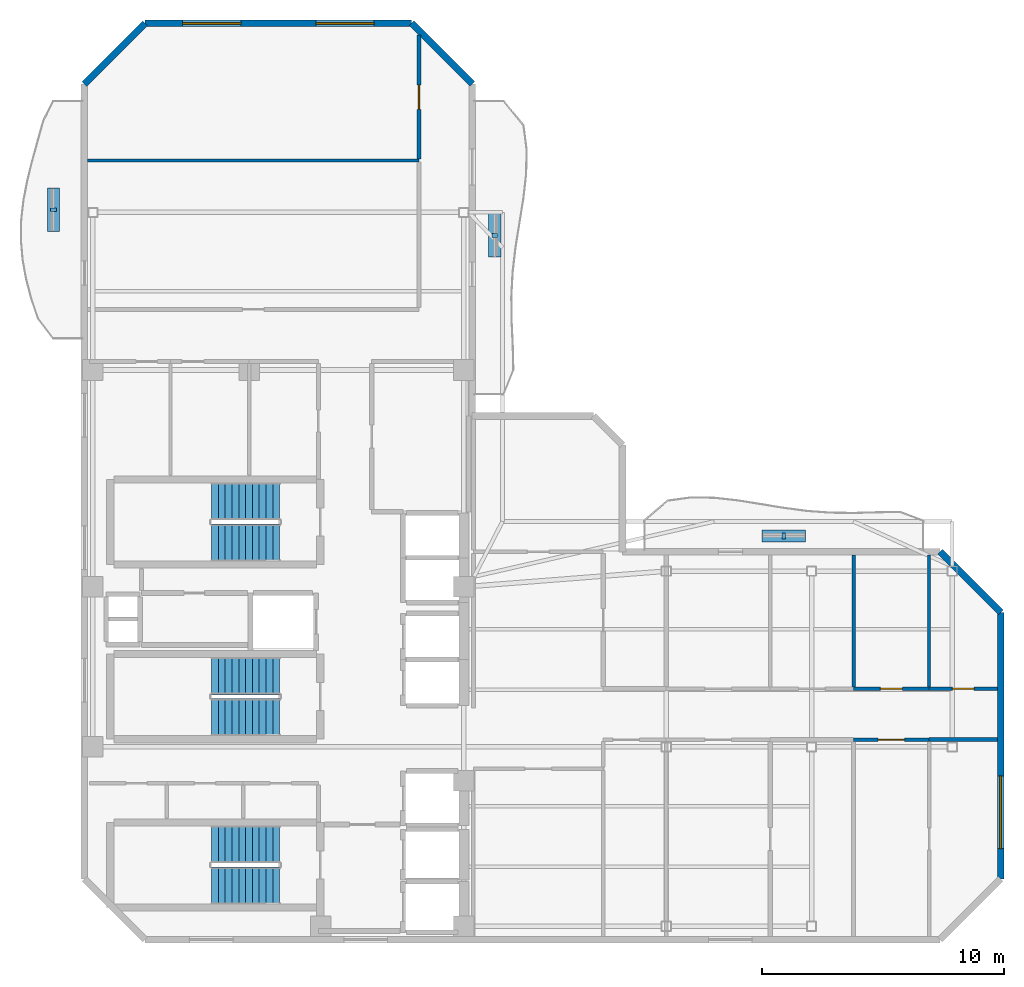
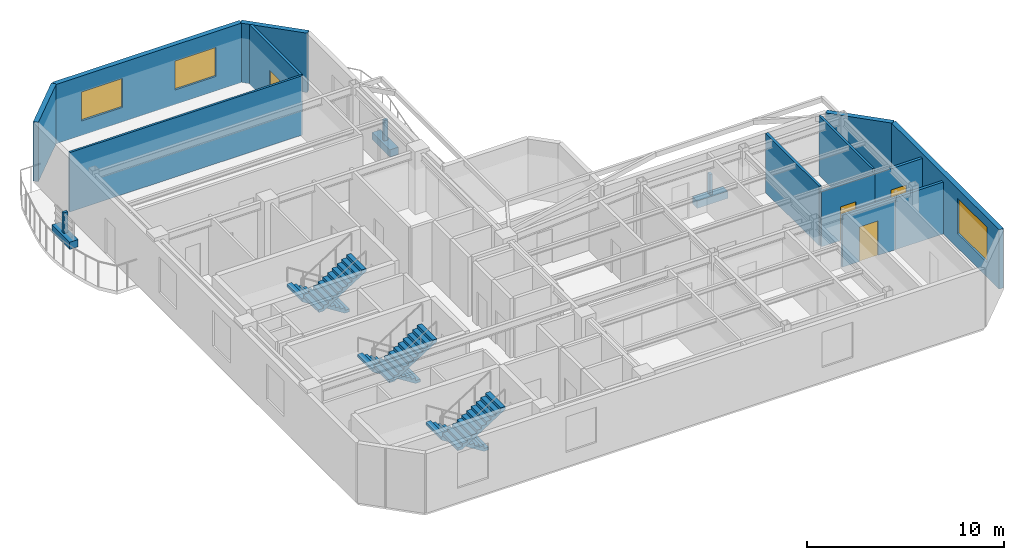
# One storey, part 5 of 7: 13 walls, 6 discrete accessories, 6 stair flights, 4 doors, 3 windows, 7 openings, 3 elements without a shape of their own.
"""IFC4 building model written with IfcOpenShell, lengths in metres."""

from ifc_helpers import new_model, si_unit, direction, frame, frame_2d, origin, origin_2d, place, context, subcontext, project, spatial, polyline, rectangle, outline, extrude, material, layer, layer_set, type_object, element, fill, aggregate, save


model = new_model("IFC4")

# Units and contexts
model_context = context("Model", 3, precision=1e-05, world=origin(), true_north=direction((0.0, 1.0)))
body_context = subcontext(model_context, "Body", "Model", "MODEL_VIEW")
ifc_project = project(units=[si_unit("LENGTHUNIT", "METRE"), si_unit("AREAUNIT", "SQUARE_METRE"), si_unit("VOLUMEUNIT", "CUBIC_METRE"), si_unit("PLANEANGLEUNIT", "RADIAN"), si_unit("MASSUNIT", "GRAM", prefix="KILO")], contexts=[model_context])

# Site, building, storey
site_placement = place(None, origin())
site = spatial("IfcSite", under=ifc_project, at=site_placement, CompositionType="ELEMENT")
building_placement = place(site_placement, origin())
building = spatial("IfcBuilding", under=site, at=building_placement, Name="Mawjaban Terraces University", CompositionType="ELEMENT")
storey_placement = place(building_placement, frame((0.0, 0.0, 283.300048828125)))
storey = spatial("IfcBuildingStorey", under=building, at=storey_placement, Name="L69", CompositionType="ELEMENT", Elevation=283.300048828125)

# Wall
ifc_material_1 = material(Name="Fire-rated gypsum board on steel stud", Category="steel")
ifc_layer_1 = layer(ifc_material_1, 0.159912109375)
ifc_layer_set_1 = layer_set([ifc_layer_1], Name="Fire-rated gypsum board on steel stud")
wall_type_1 = type_object("IfcWallType", Name="CorridorPartition_160", PredefinedType="PARTITIONING", material=ifc_layer_set_1)
wall_1_placement = place(storey_placement, frame((56.85009765625, 8.25, 0.0), z_axis=(0.0, 0.0, 1.0), x_axis=(1.0, 0.0, 0.0)))
element("IfcWall", 1, at=wall_1_placement, inside=storey, type_object=wall_type_1, Name="L69 Upper East Research Corridor Partition 24", PredefinedType="PARTITIONING", context=body_context, shape_type="SweptSolid", body=[
    extrude(rectangle(XDim=2.81689453125, YDim=0.159912109375, at=frame_2d((1.408447265625, 0.0))), origin(), (0.0, 0.0, 1.0), 3.22705078125),
])

# Wall, opening, door
wall_2_placement = place(storey_placement, frame((56.85009765625, 10.35009765625, 0.0), z_axis=(0.0, 0.0, 1.0), x_axis=(-1.0, 0.0, 0.0)))
wall_2 = element("IfcWall", 2, at=wall_2_placement, inside=storey, type_object=wall_type_1, Name="L69 Upper East Research Corridor Partition 25", PredefinedType="PARTITIONING", context=body_context, shape_type="SweptSolid", body=[
    extrude(rectangle(XDim=3.1201171875, YDim=0.159912109375, at=frame_2d((1.56005859375, 0.0))), origin(), (0.0, 0.0, 1.0), 3.424072265625),
])
opening_1_placement = place(wall_2_placement, frame((1.110107421875, 0.0, 0.0)))
opening_1 = element("IfcOpeningElement", 3, at=opening_1_placement, cuts=wall_2, Name="Opening ID-090", PredefinedType="OPENING", context=body_context, shape_type="SweptSolid", body=[
    extrude(rectangle(XDim=0.89990234375, YDim=2.10009765625, at=frame_2d((0.449951171875, 1.050048828125))), frame((0.0, 0.08984375, 0.0), z_axis=(0.0, -1.0, 0.0), x_axis=(1.0, 0.0, 0.0)), (0.0, 0.0, 1.0), 0.179931640625),
])
ifc_material_2 = material(Name="Powder-coated steel frame and solid acoustic timber leaf", Category="steel")
door_type_1 = type_object("IfcDoorType", Name="OfficeDoor_900x2100", OperationType="NOTDEFINED", PredefinedType="DOOR", material=ifc_material_2)
door_1_placement = place(opening_1_placement, origin())
door_1 = element("IfcDoor", 4, at=door_1_placement, inside=storey, type_object=door_type_1, Name="L69 Student Tea Pantry 9 Door", OperationType="SINGLE_SWING_RIGHT", OverallHeight=2.10009765625, OverallWidth=0.89990234375, PredefinedType="DOOR", context=body_context, shape_type="SweptSolid", body=[
    extrude(rectangle(XDim=0.89990234375, YDim=2.10009765625, at=frame_2d((0.449951171875, 1.050048828125))), frame((0.0, 0.02490234375, 0.0), z_axis=(0.0, -1.0, 0.0), x_axis=(1.0, 0.0, 0.0)), (0.0, 0.0, 1.0), 0.050048828125),
])
fill(opening_1, door_1)

wall_3_placement = place(storey_placement, frame((59.6669921875, 10.35009765625, 0.0), z_axis=(0.0, 0.0, 1.0), x_axis=(-1.0, 0.0, 0.0)))
wall_3 = element("IfcWall", 5, at=wall_3_placement, inside=storey, type_object=wall_type_1, Name="L69 Upper East Research Corridor Partition 26", PredefinedType="PARTITIONING", context=body_context, shape_type="SweptSolid", body=[
    extrude(rectangle(XDim=2.81689453125, YDim=0.159912109375, at=frame_2d((1.408447265625, 0.0))), origin(), (0.0, 0.0, 1.0), 3.424072265625),
])
opening_2_placement = place(wall_3_placement, frame((0.958984375, 0.0, 0.0)))
opening_2 = element("IfcOpeningElement", 6, at=opening_2_placement, cuts=wall_3, Name="Opening ID-090", PredefinedType="OPENING", context=body_context, shape_type="SweptSolid", body=[
    extrude(rectangle(XDim=0.89990234375, YDim=2.10009765625, at=frame_2d((0.449951171875, 1.050048828125))), frame((0.0, 0.08984375, 0.0), z_axis=(0.0, -1.0, 0.0), x_axis=(1.0, 0.0, 0.0)), (0.0, 0.0, 1.0), 0.179931640625),
])
door_2_placement = place(opening_2_placement, origin())
door_2 = element("IfcDoor", 7, at=door_2_placement, inside=storey, type_object=door_type_1, Name="L69 Faculty Office 11 Door", OperationType="SINGLE_SWING_RIGHT", OverallHeight=2.10009765625, OverallWidth=0.89990234375, PredefinedType="DOOR", context=body_context, shape_type="SweptSolid", body=[
    extrude(rectangle(XDim=0.89990234375, YDim=2.10009765625, at=frame_2d((0.449951171875, 1.050048828125))), frame((0.0, 0.02490234375, 0.0), z_axis=(0.0, -1.0, 0.0), x_axis=(1.0, 0.0, 0.0)), (0.0, 0.0, 1.0), 0.050048828125),
])
fill(opening_2, door_2)

wall_4_placement = place(storey_placement, frame((35.800048828125, 37.31298828125, 0.0), z_axis=(0.0, 0.0, 1.0), x_axis=(0.0, -1.0, 0.0)))
wall_4 = element("IfcWall", 8, at=wall_4_placement, inside=storey, type_object=wall_type_1, Name="L69 Upper North Research Gallery Partition 36", PredefinedType="PARTITIONING", context=body_context, shape_type="SweptSolid", body=[
    extrude(rectangle(XDim=5.115966796875, YDim=0.159912109375, at=frame_2d((2.55810546875, 0.0))), origin(), (0.0, 0.0, 1.0), 3.68994140625),
])
opening_3_placement = place(wall_4_placement, frame((2.05810546875, 0.0, 0.0)))
opening_3 = element("IfcOpeningElement", 9, at=opening_3_placement, cuts=wall_4, Name="Opening ID-100", PredefinedType="OPENING", context=body_context, shape_type="SweptSolid", body=[
    extrude(rectangle(XDim=1.0, YDim=2.10009765625, at=frame_2d((0.5, 1.050048828125))), frame((0.0, 0.08984375, 0.0), z_axis=(0.0, -1.0, 0.0), x_axis=(1.0, 0.0, 0.0)), (0.0, 0.0, 1.0), 0.179931640625),
])
door_type_2 = type_object("IfcDoorType", Name="ClassroomDoor_1000x2100", OperationType="NOTDEFINED", PredefinedType="DOOR", material=ifc_material_2)
door_3_placement = place(opening_3_placement, origin())
door_3 = element("IfcDoor", 10, at=door_3_placement, inside=storey, type_object=door_type_2, Name="L69 Classroom 13 Door", OperationType="SINGLE_SWING_RIGHT", OverallHeight=2.10009765625, OverallWidth=1.0, PredefinedType="DOOR", context=body_context, shape_type="SweptSolid", body=[
    extrude(rectangle(XDim=1.0, YDim=2.10009765625, at=frame_2d((0.5, 1.050048828125))), frame((0.0, 0.02490234375, 0.0), z_axis=(0.0, -1.0, 0.0), x_axis=(1.0, 0.0, 0.0)), (0.0, 0.0, 1.0), 0.050048828125),
])
fill(opening_3, door_3)

# Wall, opening, window
ifc_material_3 = material(Name="Insulated terracotta rainscreen on concrete backup C40/50", Category="masonry")
ifc_layer_2 = layer(ifc_material_3, 0.27490234375)
ifc_layer_set_2 = layer_set([ifc_layer_2], Name="Insulated terracotta rainscreen on concrete backup C40/50")
wall_type_2 = type_object("IfcWallType", Name="ExtTerracottaWall_275", PredefinedType="SOLIDWALL", material=ifc_layer_set_2)
wall_5_placement = place(storey_placement, frame((59.800048828125, 2.5, 0.0), z_axis=(0.0, 0.0, 1.0), x_axis=(0.0, 1.0, 0.0)))
wall_5 = element("IfcWall", 11, at=wall_5_placement, inside=storey, type_object=wall_type_2, Name="L69 Exterior Terracotta Wall 3", PredefinedType="SOLIDWALL", context=body_context, shape_type="SweptSolid", body=[
    extrude(rectangle(XDim=11.0, YDim=0.27490234375, at=frame_2d((5.5, 0.0))), origin(), (0.0, 0.0, 1.0), 3.68994140625),
])
opening_4_placement = place(wall_5_placement, frame((1.25, 0.0, 0.89990234375)))
opening_4 = element("IfcOpeningElement", 12, at=opening_4_placement, cuts=wall_5, Name="Opening W-12", PredefinedType="OPENING", context=body_context, shape_type="SweptSolid", body=[
    extrude(rectangle(XDim=3.0, YDim=2.199951171875, at=frame_2d((1.5, 1.10009765625))), frame((0.0, 0.1474609375, 0.0), z_axis=(0.0, -1.0, 0.0), x_axis=(1.0, 0.0, 0.0)), (0.0, 0.0, 1.0), 0.294921875),
])
ifc_material_4 = material(Name="Low-E solar-control double glazing in thermally broken aluminium frame", Category="aluminium")
window_type_1 = type_object("IfcWindowType", Name="Win_3000x2200", PartitioningType="SINGLE_PANEL", PredefinedType="WINDOW", material=ifc_material_4)
window_1_placement = place(opening_4_placement, origin())
window_1 = element("IfcWindow", 13, at=window_1_placement, inside=storey, type_object=window_type_1, Name="L69 Facade Window 3.1", OverallHeight=2.199951171875, OverallWidth=3.0, PartitioningType="SINGLE_PANEL", PredefinedType="WINDOW", context=body_context, shape_type="SweptSolid", body=[
    extrude(rectangle(XDim=3.0, YDim=2.199951171875, at=frame_2d((1.5, 1.10009765625))), frame((0.0, 0.030029296875, 0.0), z_axis=(0.0, -1.0, 0.0), x_axis=(1.0, 0.0, 0.0)), (0.0, 0.0, 1.0), 0.06005859375),
])
fill(opening_4, window_1)

# Walls
for number, where, z_axis, x_axis, name in (
    (14, (59.800048828125, 13.5, 0.0), (0.0, 0.0, 1.0), (-0.707106781187, 0.707106781187, 0.0), "L69 Exterior Terracotta Wall 4"),
    (15, (38.0, 35.300048828125, 0.0), (0.0, 0.0, 1.0), (-0.707106781187, 0.707106781187, 0.0), "L69 Exterior Terracotta Wall 10"),
):
    element("IfcWall", number, at=place(storey_placement, frame(where, z_axis=z_axis, x_axis=x_axis)), inside=storey, type_object=wall_type_2, Name=name, PredefinedType="SOLIDWALL", context=body_context, shape_type="SweptSolid", body=[
        extrude(rectangle(XDim=3.53564453125, YDim=0.27490234375, at=frame_2d((1.767822265625, 0.0))), origin(), (0.0, 0.0, 1.0), 3.68994140625),
    ])

# Wall, openings, windows
wall_6_placement = place(storey_placement, frame((35.5, 37.800048828125, 0.0), z_axis=(0.0, 0.0, 1.0), x_axis=(-1.0, 0.0, 0.0)))
wall_6 = element("IfcWall", 16, at=wall_6_placement, inside=storey, type_object=wall_type_2, Name="L69 Exterior Terracotta Wall 11", PredefinedType="SOLIDWALL", context=body_context, shape_type="SweptSolid", body=[
    extrude(rectangle(XDim=11.0, YDim=0.27490234375, at=frame_2d((5.5, 0.0))), origin(), (0.0, 0.0, 1.0), 3.68994140625),
])
opening_5_placement = place(wall_6_placement, frame((1.550048828125, 0.0, 0.89990234375)))
opening_5 = element("IfcOpeningElement", 17, at=opening_5_placement, cuts=wall_6, Name="Opening W-08", PredefinedType="OPENING", context=body_context, shape_type="SweptSolid", body=[
    extrude(rectangle(XDim=2.39990234375, YDim=1.800048828125, at=frame_2d((1.199951171875, 0.89990234375))), frame((0.0, 0.1474609375, 0.0), z_axis=(0.0, -1.0, 0.0), x_axis=(1.0, 0.0, 0.0)), (0.0, 0.0, 1.0), 0.294921875),
])
opening_6_placement = place(wall_6_placement, frame((7.050048828125, 0.0, 0.89990234375)))
opening_6 = element("IfcOpeningElement", 18, at=opening_6_placement, cuts=wall_6, Name="Opening W-08", PredefinedType="OPENING", context=body_context, shape_type="SweptSolid", body=[
    extrude(rectangle(XDim=2.39990234375, YDim=1.800048828125, at=frame_2d((1.199951171875, 0.89990234375))), frame((0.0, 0.1474609375, 0.0), z_axis=(0.0, -1.0, 0.0), x_axis=(1.0, 0.0, 0.0)), (0.0, 0.0, 1.0), 0.294921875),
])
window_type_2 = type_object("IfcWindowType", Name="Win_2400x1800", PartitioningType="SINGLE_PANEL", PredefinedType="WINDOW", material=ifc_material_4)
window_2_placement = place(opening_5_placement, origin())
window_2 = element("IfcWindow", 19, at=window_2_placement, inside=storey, type_object=window_type_2, Name="L69 Facade Window 11.1", OverallHeight=1.800048828125, OverallWidth=2.39990234375, PartitioningType="SINGLE_PANEL", PredefinedType="WINDOW", context=body_context, shape_type="SweptSolid", body=[
    extrude(rectangle(XDim=2.39990234375, YDim=1.800048828125, at=frame_2d((1.199951171875, 0.89990234375))), frame((0.0, 0.030029296875, 0.0), z_axis=(0.0, -1.0, 0.0), x_axis=(1.0, 0.0, 0.0)), (0.0, 0.0, 1.0), 0.06005859375),
])
fill(opening_5, window_2)
window_3_placement = place(opening_6_placement, origin())
window_3 = element("IfcWindow", 20, at=window_3_placement, inside=storey, type_object=window_type_2, Name="L69 Facade Window 11.2", OverallHeight=1.800048828125, OverallWidth=2.39990234375, PartitioningType="SINGLE_PANEL", PredefinedType="WINDOW", context=body_context, shape_type="SweptSolid", body=[
    extrude(rectangle(XDim=2.39990234375, YDim=1.800048828125, at=frame_2d((1.199951171875, 0.89990234375))), frame((0.0, 0.030029296875, 0.0), z_axis=(0.0, -1.0, 0.0), x_axis=(1.0, 0.0, 0.0)), (0.0, 0.0, 1.0), 0.06005859375),
])
fill(opening_6, window_3)

# Wall
wall_7_placement = place(storey_placement, frame((24.5, 37.800048828125, 0.0), z_axis=(0.0, 0.0, 1.0), x_axis=(-0.707106781187, -0.707106781187, 0.0)))
element("IfcWall", 21, at=wall_7_placement, inside=storey, type_object=wall_type_2, Name="L69 Exterior Terracotta Wall 12", PredefinedType="SOLIDWALL", context=body_context, shape_type="SweptSolid", body=[
    extrude(rectangle(XDim=3.53564453125, YDim=0.27490234375, at=frame_2d((1.767822265625, 0.0))), origin(), (0.0, 0.0, 1.0), 3.68994140625),
])

# Wall, opening, door
ifc_material_5 = material(Name="Moisture-resistant gypsum board on steel stud", Category="steel")
ifc_layer_3 = layer(ifc_material_5, 0.14501953125)
ifc_layer_set_3 = layer_set([ifc_layer_3], Name="Moisture-resistant gypsum board on steel stud")
wall_type_3 = type_object("IfcWallType", Name="LabPartition_145", PredefinedType="PARTITIONING", material=ifc_layer_set_3)
wall_8_placement = place(storey_placement, frame((53.72998046875, 8.25, 0.0), z_axis=(0.0, 0.0, 1.0), x_axis=(1.0, 0.0, 0.0)))
wall_8 = element("IfcWall", 22, at=wall_8_placement, inside=storey, type_object=wall_type_3, Name="L69 Upper East Research Corridor Partition 22", PredefinedType="PARTITIONING", context=body_context, shape_type="SweptSolid", body=[
    extrude(rectangle(XDim=3.1201171875, YDim=0.14501953125, at=frame_2d((1.56005859375, 0.0))), origin(), (0.0, 0.0, 1.0), 3.22705078125),
])
opening_7_placement = place(wall_8_placement, frame((1.010009765625, 0.0, 0.0)))
opening_7 = element("IfcOpeningElement", 23, at=opening_7_placement, cuts=wall_8, Name="Opening ID-110", PredefinedType="OPENING", context=body_context, shape_type="SweptSolid", body=[
    extrude(rectangle(XDim=1.10009765625, YDim=2.14990234375, at=frame_2d((0.550048828125, 1.074951171875))), frame((0.0, 0.08251953125, 0.0), z_axis=(0.0, -1.0, 0.0), x_axis=(1.0, 0.0, 0.0)), (0.0, 0.0, 1.0), 0.1650390625),
])
door_type_3 = type_object("IfcDoorType", Name="LabDoor_1100x2150", OperationType="NOTDEFINED", PredefinedType="DOOR", material=ifc_material_2)
door_4_placement = place(opening_7_placement, origin())
door_4 = element("IfcDoor", 24, at=door_4_placement, inside=storey, type_object=door_type_3, Name="L69 Teaching Laboratory 8 Door", OperationType="SINGLE_SWING_LEFT", OverallHeight=2.14990234375, OverallWidth=1.10009765625, PredefinedType="DOOR", context=body_context, shape_type="SweptSolid", body=[
    extrude(rectangle(XDim=1.10009765625, YDim=2.14990234375, at=frame_2d((0.550048828125, 1.074951171875))), frame((0.0, 0.02490234375, 0.0), z_axis=(0.0, -1.0, 0.0), x_axis=(1.0, 0.0, 0.0)), (0.0, 0.0, 1.0), 0.050048828125),
])
fill(opening_7, door_4)

# Walls
wall_9_placement = place(storey_placement, frame((53.72998046875, 10.425048828125, 0.0), z_axis=(0.0, 0.0, 1.0), x_axis=(0.0, 1.0, 0.0)))
element("IfcWall", 25, at=wall_9_placement, inside=storey, type_object=wall_type_3, Name="L69 Computational Laboratory 7 Partition 49", PredefinedType="PARTITIONING", context=body_context, shape_type="SweptSolid", body=[
    extrude(rectangle(XDim=5.44189453125, YDim=0.14501953125, at=frame_2d((2.720947265625, 0.0))), origin(), (0.0, 0.0, 1.0), 3.68994140625),
])
ifc_material_6 = material(Name="Gypsum plasterboard on steel stud", Category="steel")
ifc_layer_4 = layer(ifc_material_6, 0.125)
ifc_layer_set_4 = layer_set([ifc_layer_4], Name="Gypsum plasterboard on steel stud")
wall_type_4 = type_object("IfcWallType", Name="OfficePartition_125", PredefinedType="PARTITIONING", material=ifc_layer_set_4)
wall_10_placement = place(storey_placement, frame((35.800048828125, 32.139892578125, 0.0), z_axis=(0.0, 0.0, 1.0), x_axis=(-1.0, 0.0, 0.0)))
element("IfcWall", 26, at=wall_10_placement, inside=storey, type_object=wall_type_4, Name="L69 Departmental Office 12 Partition 13", PredefinedType="PARTITIONING", context=body_context, shape_type="SweptSolid", body=[
    extrude(rectangle(XDim=13.6669921875, YDim=0.125, at=frame_2d((6.83349609375, 0.0))), origin(), (0.0, 0.0, 1.0), 3.68994140625),
])
wall_11_placement = place(storey_placement, frame((56.85009765625, 10.425048828125, 0.0), z_axis=(0.0, 0.0, 1.0), x_axis=(0.0, 1.0, 0.0)))
element("IfcWall", 27, at=wall_11_placement, inside=storey, type_object=wall_type_4, Name="L69 Student Tea Pantry 9 Partition 51", PredefinedType="PARTITIONING", context=body_context, shape_type="SweptSolid", body=[
    extrude(rectangle(XDim=5.44189453125, YDim=0.125, at=frame_2d((2.720947265625, 0.0))), origin(), (0.0, 0.0, 1.0), 3.68994140625),
])

# Stair, stair flights
ifc_material_7 = material(Name="Concrete C40/50", Category="concrete")
stair_type = type_object("IfcStairType", Name="Stair_Core1550_H39", PredefinedType="HALF_TURN_STAIR", material=ifc_material_7)
stair_1_placement = place(storey_placement, origin())
stair_1 = element("IfcStair", 28, at=stair_1_placement, inside=storey, type_object=stair_type, Name="L69 Core Exit Stair 1", PredefinedType="HALF_TURN_STAIR")
stair_flight_type = type_object("IfcStairFlightType", Name="Flight_Core1550_H39", PredefinedType="STRAIGHT", material=ifc_material_7)
stair_flight_1_placement = place(storey_placement, frame((30.050048828125, 3.925048828125, 0.0), z_axis=(0.0, 0.0, 1.0), x_axis=(-1.0, 0.0, 0.0)))
stair_flight_1 = element("IfcStairFlight", 29, at=stair_flight_1_placement, type_object=stair_flight_type, Name="ST-1 flight 1", NumberOfRisers=11, NumberOfTreads=10, PredefinedType="STRAIGHT", RiserHeight=0.177272727, TreadLength=0.28, context=body_context, shape_type="SweptSolid", body=[
    extrude(outline(polyline([(0.0, 0.0), (0.0, 0.17724609375), (0.280029296875, 0.17724609375), (0.280029296875, 0.3544921875), (0.56005859375, 0.3544921875), (0.56005859375, 0.53173828125), (0.840087890625, 0.53173828125), (0.840087890625, 0.708984375), (1.1201171875, 0.708984375), (1.1201171875, 0.886474609375), (1.39990234375, 0.886474609375), (1.39990234375, 1.063720703125), (1.679931640625, 1.063720703125), (1.679931640625, 1.240966796875), (1.9599609375, 1.240966796875), (1.9599609375, 1.418212890625), (2.239990234375, 1.418212890625), (2.239990234375, 1.595458984375), (2.52001953125, 1.595458984375), (2.52001953125, 1.772705078125), (2.800048828125, 1.772705078125), (2.800048828125, 1.949951171875), (2.800048828125, 1.59521484375), (0.2802734375, 0.0), (0.0, 0.0)])), frame((0.0, 0.77490234375, 0.0), z_axis=(0.0, -1.0, 0.0), x_axis=(1.0, 0.0, 0.0)), (0.0, 0.0, 1.0), 1.550048828125),
])
stair_flight_2_placement = place(storey_placement, frame((27.25, 2.22509765625, 1.949951171875), z_axis=(0.0, 0.0, 1.0), x_axis=(1.0, 0.0, 0.0)))
stair_flight_2 = element("IfcStairFlight", 30, at=stair_flight_2_placement, type_object=stair_flight_type, Name="ST-1 flight 2", NumberOfRisers=11, NumberOfTreads=10, PredefinedType="STRAIGHT", RiserHeight=0.177272727, TreadLength=0.28, context=body_context, shape_type="SweptSolid", body=[
    extrude(outline(polyline([(0.0, 0.0), (0.0, 0.17724609375), (0.280029296875, 0.17724609375), (0.280029296875, 0.3544921875), (0.56005859375, 0.3544921875), (0.56005859375, 0.53173828125), (0.840087890625, 0.53173828125), (0.840087890625, 0.708984375), (1.1201171875, 0.708984375), (1.1201171875, 0.886474609375), (1.39990234375, 0.886474609375), (1.39990234375, 1.063720703125), (1.679931640625, 1.063720703125), (1.679931640625, 1.240966796875), (1.9599609375, 1.240966796875), (1.9599609375, 1.418212890625), (2.239990234375, 1.418212890625), (2.239990234375, 1.595458984375), (2.52001953125, 1.595458984375), (2.52001953125, 1.772705078125), (2.800048828125, 1.772705078125), (2.800048828125, 1.949951171875), (2.800048828125, 1.59521484375), (0.2802734375, 0.0), (0.0, 0.0)])), frame((0.0, 0.77490234375, 0.0), z_axis=(0.0, -1.0, 0.0), x_axis=(1.0, 0.0, 0.0)), (0.0, 0.0, 1.0), 1.550048828125),
])
aggregate(stair_1, [stair_flight_1, stair_flight_2])

stair_2_placement = place(storey_placement, origin())
stair_2 = element("IfcStair", 31, at=stair_2_placement, inside=storey, type_object=stair_type, Name="L69 Core Exit Stair 2", PredefinedType="HALF_TURN_STAIR")
stair_flight_3_placement = place(storey_placement, frame((30.050048828125, 18.074951171875, 0.0), z_axis=(0.0, 0.0, 1.0), x_axis=(-1.0, 0.0, 0.0)))
stair_flight_3 = element("IfcStairFlight", 32, at=stair_flight_3_placement, type_object=stair_flight_type, Name="ST-2 flight 1", NumberOfRisers=11, NumberOfTreads=10, PredefinedType="STRAIGHT", RiserHeight=0.177272727, TreadLength=0.28, context=body_context, shape_type="SweptSolid", body=[
    extrude(outline(polyline([(0.0, 0.0), (0.0, 0.17724609375), (0.280029296875, 0.17724609375), (0.280029296875, 0.3544921875), (0.56005859375, 0.3544921875), (0.56005859375, 0.53173828125), (0.840087890625, 0.53173828125), (0.840087890625, 0.708984375), (1.1201171875, 0.708984375), (1.1201171875, 0.886474609375), (1.39990234375, 0.886474609375), (1.39990234375, 1.063720703125), (1.679931640625, 1.063720703125), (1.679931640625, 1.240966796875), (1.9599609375, 1.240966796875), (1.9599609375, 1.418212890625), (2.239990234375, 1.418212890625), (2.239990234375, 1.595458984375), (2.52001953125, 1.595458984375), (2.52001953125, 1.772705078125), (2.800048828125, 1.772705078125), (2.800048828125, 1.949951171875), (2.800048828125, 1.59521484375), (0.2802734375, 0.0), (0.0, 0.0)])), frame((0.0, 0.77490234375, 0.0), z_axis=(0.0, -1.0, 0.0), x_axis=(1.0, 0.0, 0.0)), (0.0, 0.0, 1.0), 1.550048828125),
])
stair_flight_4_placement = place(storey_placement, frame((27.25, 16.375, 1.949951171875), z_axis=(0.0, 0.0, 1.0), x_axis=(1.0, 0.0, 0.0)))
stair_flight_4 = element("IfcStairFlight", 33, at=stair_flight_4_placement, type_object=stair_flight_type, Name="ST-2 flight 2", NumberOfRisers=11, NumberOfTreads=10, PredefinedType="STRAIGHT", RiserHeight=0.177272727, TreadLength=0.28, context=body_context, shape_type="SweptSolid", body=[
    extrude(outline(polyline([(0.0, 0.0), (0.0, 0.17724609375), (0.280029296875, 0.17724609375), (0.280029296875, 0.3544921875), (0.56005859375, 0.3544921875), (0.56005859375, 0.53173828125), (0.840087890625, 0.53173828125), (0.840087890625, 0.708984375), (1.1201171875, 0.708984375), (1.1201171875, 0.886474609375), (1.39990234375, 0.886474609375), (1.39990234375, 1.063720703125), (1.679931640625, 1.063720703125), (1.679931640625, 1.240966796875), (1.9599609375, 1.240966796875), (1.9599609375, 1.418212890625), (2.239990234375, 1.418212890625), (2.239990234375, 1.595458984375), (2.52001953125, 1.595458984375), (2.52001953125, 1.772705078125), (2.800048828125, 1.772705078125), (2.800048828125, 1.949951171875), (2.800048828125, 1.59521484375), (0.2802734375, 0.0), (0.0, 0.0)])), frame((0.0, 0.77490234375, 0.0), z_axis=(0.0, -1.0, 0.0), x_axis=(1.0, 0.0, 0.0)), (0.0, 0.0, 1.0), 1.550048828125),
])
aggregate(stair_2, [stair_flight_3, stair_flight_4])

stair_3_placement = place(storey_placement, origin())
stair_3 = element("IfcStair", 34, at=stair_3_placement, inside=storey, type_object=stair_type, Name="L69 Core Exit Stair 3", PredefinedType="HALF_TURN_STAIR")
stair_flight_5_placement = place(storey_placement, frame((30.050048828125, 10.875, 0.0), z_axis=(0.0, 0.0, 1.0), x_axis=(-1.0, 0.0, 0.0)))
stair_flight_5 = element("IfcStairFlight", 35, at=stair_flight_5_placement, type_object=stair_flight_type, Name="ST-3 flight 1", NumberOfRisers=11, NumberOfTreads=10, PredefinedType="STRAIGHT", RiserHeight=0.177272727, TreadLength=0.28, context=body_context, shape_type="SweptSolid", body=[
    extrude(outline(polyline([(0.0, 0.0), (0.0, 0.17724609375), (0.280029296875, 0.17724609375), (0.280029296875, 0.3544921875), (0.56005859375, 0.3544921875), (0.56005859375, 0.53173828125), (0.840087890625, 0.53173828125), (0.840087890625, 0.708984375), (1.1201171875, 0.708984375), (1.1201171875, 0.886474609375), (1.39990234375, 0.886474609375), (1.39990234375, 1.063720703125), (1.679931640625, 1.063720703125), (1.679931640625, 1.240966796875), (1.9599609375, 1.240966796875), (1.9599609375, 1.418212890625), (2.239990234375, 1.418212890625), (2.239990234375, 1.595458984375), (2.52001953125, 1.595458984375), (2.52001953125, 1.772705078125), (2.800048828125, 1.772705078125), (2.800048828125, 1.949951171875), (2.800048828125, 1.59521484375), (0.2802734375, 0.0), (0.0, 0.0)])), frame((0.0, 0.77490234375, 0.0), z_axis=(0.0, -1.0, 0.0), x_axis=(1.0, 0.0, 0.0)), (0.0, 0.0, 1.0), 1.550048828125),
])
stair_flight_6_placement = place(storey_placement, frame((27.25, 9.175048828125, 1.949951171875), z_axis=(0.0, 0.0, 1.0), x_axis=(1.0, 0.0, 0.0)))
stair_flight_6 = element("IfcStairFlight", 36, at=stair_flight_6_placement, type_object=stair_flight_type, Name="ST-3 flight 2", NumberOfRisers=11, NumberOfTreads=10, PredefinedType="STRAIGHT", RiserHeight=0.177272727, TreadLength=0.28, context=body_context, shape_type="SweptSolid", body=[
    extrude(outline(polyline([(0.0, 0.0), (0.0, 0.17724609375), (0.280029296875, 0.17724609375), (0.280029296875, 0.3544921875), (0.56005859375, 0.3544921875), (0.56005859375, 0.53173828125), (0.840087890625, 0.53173828125), (0.840087890625, 0.708984375), (1.1201171875, 0.708984375), (1.1201171875, 0.886474609375), (1.39990234375, 0.886474609375), (1.39990234375, 1.063720703125), (1.679931640625, 1.063720703125), (1.679931640625, 1.240966796875), (1.9599609375, 1.240966796875), (1.9599609375, 1.418212890625), (2.239990234375, 1.418212890625), (2.239990234375, 1.595458984375), (2.52001953125, 1.595458984375), (2.52001953125, 1.772705078125), (2.800048828125, 1.772705078125), (2.800048828125, 1.949951171875), (2.800048828125, 1.59521484375), (0.2802734375, 0.0), (0.0, 0.0)])), frame((0.0, 0.77490234375, 0.0), z_axis=(0.0, -1.0, 0.0), x_axis=(1.0, 0.0, 0.0)), (0.0, 0.0, 1.0), 1.550048828125),
])
aggregate(stair_3, [stair_flight_5, stair_flight_6])

# Discrete accessories
ifc_material_8 = material(Name="Stainless steel 316L", Category="steel")
discrete_accessory_type_1 = type_object("IfcDiscreteAccessoryType", Name="FacadeScreenBracket_Steel", PredefinedType="BRACKET", material=ifc_material_8)
for number, where, z_axis, x_axis, name in (
    (37, (20.718994140625, 30.10791015625, 0.419921875), (0.0, 0.0, 1.0), (0.0, 1.0, 0.0), "L69 Balcony Screen Support Bracket west"),
    (38, (50.85009765625, 16.64501953125, 0.419921875), (0.0, 0.0, 1.0), (1.0, 0.0, 0.0), "L69 Balcony Screen Support Bracket inner_north"),
    (39, (38.930908203125, 29.053955078125, 0.419921875), (0.0, 0.0, 1.0), (0.0, 1.0, 0.0), "L69 Balcony Screen Support Bracket inner_east"),
):
    element("IfcDiscreteAccessory", number, at=place(storey_placement, frame(where, z_axis=z_axis, x_axis=x_axis)), inside=storey, type_object=discrete_accessory_type_1, Name=name, PredefinedType="BRACKET", context=body_context, shape_type="SweptSolid", body=[
        extrude(rectangle(XDim=0.159912109375, YDim=0.239990234375, at=origin_2d()), origin(), (0.0, 0.0, 1.0), 1.300048828125),
    ])
ifc_material_9 = material(Name="Precast architectural terracotta planter with engineered planting soil", Category="masonry")
discrete_accessory_type_2 = type_object("IfcDiscreteAccessoryType", Name="IrrigatedPlanterTrough_450", PredefinedType="USERDEFINED", material=ifc_material_9)
for number, where, z_axis, x_axis, name in (
    (40, (20.718994140625, 30.10791015625, -0.0048828125), (0.0, 0.0, 1.0), (0.0, 1.0, 0.0), "L69 Balcony Irrigated Planter west"),
    (41, (50.85009765625, 16.64501953125, -0.0048828125), (0.0, 0.0, 1.0), (1.0, 0.0, 0.0), "L69 Balcony Irrigated Planter inner_north"),
    (42, (38.930908203125, 29.053955078125, -0.0048828125), (0.0, 0.0, 1.0), (0.0, 1.0, 0.0), "L69 Balcony Irrigated Planter inner_east"),
):
    element("IfcDiscreteAccessory", number, at=place(storey_placement, frame(where, z_axis=z_axis, x_axis=x_axis)), inside=storey, type_object=discrete_accessory_type_2, Name=name, ObjectType="PLANTER", PredefinedType="USERDEFINED", context=body_context, shape_type="SweptSolid", body=[
        extrude(rectangle(XDim=1.800048828125, YDim=0.5, at=origin_2d()), origin(), (0.0, 0.0, 1.0), 0.449951171875),
    ])

save(model, "model.ifc")
